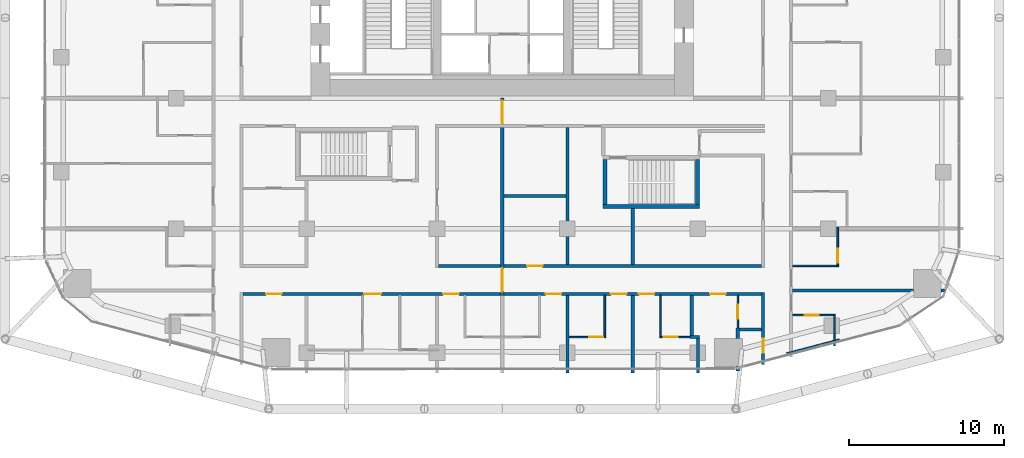
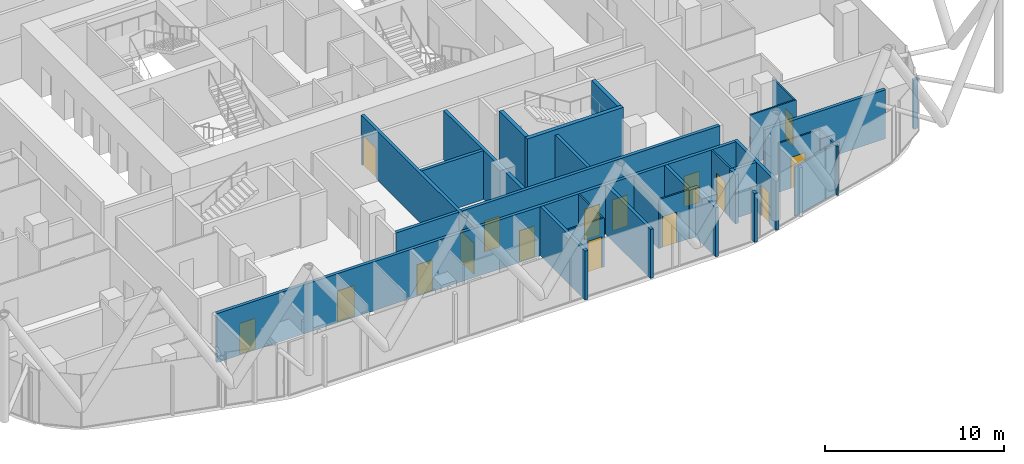
# One storey, part 30 of 38: 30 walls, 16 doors, 16 openings.
"""IFC4 building model written with IfcOpenShell, lengths in metres."""

from ifc_helpers import new_model, si_unit, direction, frame, frame_2d, origin, place, context, subcontext, project, spatial, rectangle, extrude, material, layer, layer_set, type_object, element, fill, save


model = new_model("IFC4")

# Units and contexts
model_context = context("Model", 3, precision=1e-05, world=origin(), true_north=direction((0.0, 1.0)))
body_context = subcontext(model_context, "Body", "Model", "MODEL_VIEW")
ifc_project = project(units=[si_unit("LENGTHUNIT", "METRE"), si_unit("AREAUNIT", "SQUARE_METRE"), si_unit("VOLUMEUNIT", "CUBIC_METRE"), si_unit("PLANEANGLEUNIT", "RADIAN"), si_unit("MASSUNIT", "GRAM", prefix="KILO")], contexts=[model_context])

# Site, building, storey
site_placement = place(None, origin())
site = spatial("IfcSite", under=ifc_project, at=site_placement, CompositionType="ELEMENT")
building_placement = place(site_placement, origin())
building = spatial("IfcBuilding", under=site, at=building_placement, Name="Marenta Gate Hotel Tower", CompositionType="ELEMENT")
storey_placement = place(building_placement, frame((0.0, 0.0, 68.89990234375)))
storey = spatial("IfcBuildingStorey", under=building, at=storey_placement, Name="L15", CompositionType="ELEMENT", Elevation=68.89990234375)

# Wall, openings, doors
ifc_material_1 = material(Name="Concrete blockwork", Category="masonry")
ifc_layer_1 = layer(ifc_material_1, 0.199951171875)
ifc_layer_set_1 = layer_set([ifc_layer_1], Name="Concrete blockwork")
wall_type_1 = type_object("IfcWallType", Name="Compartment wall 200 REI 180", PredefinedType="PARTITIONING", material=ifc_layer_set_1)
wall_1_placement = place(storey_placement, frame((0.0, -12.699951171875, 0.0), z_axis=(0.0, 0.0, 1.0), x_axis=(0.0, 1.0, 0.0)))
wall_1 = element("IfcWall", 1, at=wall_1_placement, inside=storey, type_object=wall_type_1, Name="L15-PTN-W072", PredefinedType="PARTITIONING", context=body_context, shape_type="SweptSolid", body=[
    extrude(rectangle(XDim=12.699951171875, YDim=0.199951171875, at=frame_2d((6.35009765625, 0.0))), origin(), (0.0, 0.0, 1.0), 3.340087890625),
])
opening_1_placement = place(wall_1_placement, frame((11.050048828125, 0.0, 0.0)))
opening_1 = element("IfcOpeningElement", 2, at=opening_1_placement, cuts=wall_1, Name="Opening G05-FD3", PredefinedType="OPENING", context=body_context, shape_type="SweptSolid", body=[
    extrude(rectangle(XDim=1.5, YDim=2.10009765625, at=frame_2d((0.75, 1.050048828125))), frame((0.0, 0.10009765625, 0.0), z_axis=(0.0, -1.0, 0.0), x_axis=(1.0, 0.0, 0.0)), (0.0, 0.0, 1.0), 0.199951171875),
])
opening_2_placement = place(wall_1_placement, frame((0.25, 0.0, 0.0)))
opening_2 = element("IfcOpeningElement", 3, at=opening_2_placement, cuts=wall_1, Name="Opening G05-FD4", PredefinedType="OPENING", context=body_context, shape_type="SweptSolid", body=[
    extrude(rectangle(XDim=1.5, YDim=2.10009765625, at=frame_2d((0.75, 1.050048828125))), frame((0.0, 0.10009765625, 0.0), z_axis=(0.0, -1.0, 0.0), x_axis=(1.0, 0.0, 0.0)), (0.0, 0.0, 1.0), 0.199951171875),
])
ifc_material_2 = material(Name="Hollow steel door set", Category="steel")
door_type_1 = type_object("IfcDoorType", Name="Compartment fire door 1500x2100 EI 60", OperationType="DOUBLE_DOOR_DOUBLE_SWING", PredefinedType="DOOR", material=ifc_material_2)
door_1_placement = place(opening_1_placement, origin())
door_1 = element("IfcDoor", 4, at=door_1_placement, inside=storey, type_object=door_type_1, Name="L15-PD-FD03", OperationType="DOUBLE_DOOR_DOUBLE_SWING", OverallHeight=2.10009765625, OverallWidth=1.5, PredefinedType="DOOR", context=body_context, shape_type="SweptSolid", body=[
    extrude(rectangle(XDim=1.5, YDim=2.10009765625, at=frame_2d((0.75, 1.050048828125))), frame((0.0, 0.02490234375, 0.0), z_axis=(0.0, -1.0, 0.0), x_axis=(1.0, 0.0, 0.0)), (0.0, 0.0, 1.0), 0.050048828125),
])
fill(opening_1, door_1)
door_2_placement = place(opening_2_placement, origin())
door_2 = element("IfcDoor", 5, at=door_2_placement, inside=storey, type_object=door_type_1, Name="L15-PD-FD04", OperationType="DOUBLE_DOOR_DOUBLE_SWING", OverallHeight=2.10009765625, OverallWidth=1.5, PredefinedType="DOOR", context=body_context, shape_type="SweptSolid", body=[
    extrude(rectangle(XDim=1.5, YDim=2.10009765625, at=frame_2d((0.75, 1.050048828125))), frame((0.0, 0.02490234375, 0.0), z_axis=(0.0, -1.0, 0.0), x_axis=(1.0, 0.0, 0.0)), (0.0, 0.0, 1.0), 0.050048828125),
])
fill(opening_2, door_2)

# Walls
ifc_material_3 = material(Name="Concrete C40", Category="concrete")
ifc_layer_2 = layer(ifc_material_3, 0.25)
ifc_layer_set_2 = layer_set([ifc_layer_2], Name="Concrete C40")
wall_type_2 = type_object("IfcWallType", Name="Remote stair enclosure wall 250 REI 180", PredefinedType="SHEAR", material=ifc_layer_set_2)
wall_2_placement = place(storey_placement, frame((6.5, -6.97509765625, 0.10009765625), z_axis=(0.0, 0.0, 1.0), x_axis=(1.0, 0.0, 0.0)))
element("IfcWall", 6, at=wall_2_placement, inside=storey, type_object=wall_type_2, Name="L15-RS-Z1-1-W1", PredefinedType="SHEAR", context=body_context, shape_type="SweptSolid", body=[
    extrude(rectangle(XDim=6.199951171875, YDim=0.25, at=frame_2d((3.10009765625, 0.0))), origin(), (0.0, 0.0, 1.0), 3.60009765625),
])
for number, where, z_axis, x_axis, name in (
    (7, (6.625, -6.85009765625, 0.10009765625), (0.0, 0.0, 1.0), (0.0, 1.0, 0.0), "L15-RS-Z1-1-W3"),
    (8, (12.574951171875, -6.85009765625, 0.10009765625), (0.0, 0.0, 1.0), (0.0, 1.0, 0.0), "L15-RS-Z1-1-W4"),
):
    element("IfcWall", number, at=place(storey_placement, frame(where, z_axis=z_axis, x_axis=x_axis)), inside=storey, type_object=wall_type_2, Name=name, PredefinedType="SHEAR", context=body_context, shape_type="SweptSolid", body=[
        extrude(rectangle(XDim=2.900146484375, YDim=0.25, at=frame_2d((1.4501953125, 0.0))), origin(), (0.0, 0.0, 1.0), 3.60009765625),
    ])

# Wall, opening, door
ifc_material_4 = material(Name="Concrete blockwork", Category="masonry")
ifc_layer_3 = layer(ifc_material_4, 0.199951171875)
ifc_layer_set_3 = layer_set([ifc_layer_3], Name="Concrete blockwork")
wall_type_3 = type_object("IfcWallType", Name="Room corridor wall 200 EI 120", PredefinedType="PARTITIONING", material=ifc_layer_set_3)
wall_3_placement = place(storey_placement, frame((16.800048828125, -17.14306640625, 0.0), z_axis=(0.0, 0.0, 1.0), x_axis=(0.0, 1.0, 0.0)))
wall_3 = element("IfcWall", 9, at=wall_3_placement, inside=storey, type_object=wall_type_3, Name="L15-PTN-W015", PredefinedType="PARTITIONING", context=body_context, shape_type="SweptSolid", body=[
    extrude(rectangle(XDim=4.64306640625, YDim=0.199951171875, at=frame_2d((2.321533203125, 0.0))), origin(), (0.0, 0.0, 1.0), 3.340087890625),
])
opening_3_placement = place(wall_3_placement, frame((0.77197265625, 0.0, 0.0)))
opening_3 = element("IfcOpeningElement", 10, at=opening_3_placement, cuts=wall_3, Name="Opening G05-85", PredefinedType="OPENING", context=body_context, shape_type="SweptSolid", body=[
    extrude(rectangle(XDim=0.89990234375, YDim=2.10009765625, at=frame_2d((0.449951171875, 1.050048828125))), frame((0.0, 0.10009765625, 0.0), z_axis=(0.0, -1.0, 0.0), x_axis=(1.0, 0.0, 0.0)), (0.0, 0.0, 1.0), 0.199951171875),
])
ifc_material_5 = material(Name="Hollow steel door set", Category="steel")
door_type_2 = type_object("IfcDoorType", Name="Room service door 900x2100 EI 60", OperationType="NOTDEFINED", PredefinedType="DOOR", material=ifc_material_5)
door_3_placement = place(opening_3_placement, origin())
door_3 = element("IfcDoor", 11, at=door_3_placement, inside=storey, type_object=door_type_2, Name="L15-PD-D085", OperationType="SINGLE_SWING_RIGHT", OverallHeight=2.10009765625, OverallWidth=0.89990234375, PredefinedType="DOOR", context=body_context, shape_type="SweptSolid", body=[
    extrude(rectangle(XDim=0.89990234375, YDim=2.10009765625, at=frame_2d((0.449951171875, 1.050048828125))), frame((0.0, 0.02490234375, 0.0), z_axis=(0.0, -1.0, 0.0), x_axis=(1.0, 0.0, 0.0)), (0.0, 0.0, 1.0), 0.050048828125),
])
fill(opening_3, door_3)

# Wall, openings, doors
ifc_material_6 = material(Name="Gypsum board on steel stud", Category="steel")
ifc_layer_4 = layer(ifc_material_6, 0.199951171875)
ifc_layer_set_4 = layer_set([ifc_layer_4], Name="Gypsum board on steel stud")
wall_type_4 = type_object("IfcWallType", Name="Room corridor wall 200 EI 60", PredefinedType="PARTITIONING", material=ifc_layer_set_4)
wall_4_placement = place(storey_placement, frame((-16.699951171875, -12.60009765625, 0.0), z_axis=(0.0, 0.0, 1.0), x_axis=(1.0, 0.0, 0.0)))
wall_4 = element("IfcWall", 12, at=wall_4_placement, inside=storey, type_object=wall_type_4, Name="L15-PTN-W034", PredefinedType="PARTITIONING", context=body_context, shape_type="SweptSolid", body=[
    extrude(rectangle(XDim=33.39990234375, YDim=0.199951171875, at=frame_2d((16.699951171875, 0.0))), origin(), (0.0, 0.0, 1.0), 3.340087890625),
])
opening_4_placement = place(wall_4_placement, frame((1.5, 0.0, 0.0)))
opening_4 = element("IfcOpeningElement", 13, at=opening_4_placement, cuts=wall_4, Name="Opening G05-35", PredefinedType="OPENING", context=body_context, shape_type="SweptSolid", body=[
    extrude(rectangle(XDim=1.0, YDim=2.10009765625, at=frame_2d((0.5, 1.050048828125))), frame((0.0, 0.10009765625, 0.0), z_axis=(0.0, -1.0, 0.0), x_axis=(1.0, 0.0, 0.0)), (0.0, 0.0, 1.0), 0.199951171875),
])
opening_5_placement = place(wall_4_placement, frame((7.800048828125, 0.0, 0.0)))
opening_5 = element("IfcOpeningElement", 14, at=opening_5_placement, cuts=wall_4, Name="Opening G05-36", PredefinedType="OPENING", context=body_context, shape_type="SweptSolid", body=[
    extrude(rectangle(XDim=1.10009765625, YDim=2.10009765625, at=frame_2d((0.550048828125, 1.050048828125))), frame((0.0, 0.10009765625, 0.0), z_axis=(0.0, -1.0, 0.0), x_axis=(1.0, 0.0, 0.0)), (0.0, 0.0, 1.0), 0.199951171875),
])
opening_6_placement = place(wall_4_placement, frame((12.89990234375, 0.0, 0.0)))
opening_6 = element("IfcOpeningElement", 15, at=opening_6_placement, cuts=wall_4, Name="Opening G05-39", PredefinedType="OPENING", context=body_context, shape_type="SweptSolid", body=[
    extrude(rectangle(XDim=1.0, YDim=2.10009765625, at=frame_2d((0.5, 1.050048828125))), frame((0.0, 0.10009765625, 0.0), z_axis=(0.0, -1.0, 0.0), x_axis=(1.0, 0.0, 0.0)), (0.0, 0.0, 1.0), 0.199951171875),
])
opening_7_placement = place(wall_4_placement, frame((19.5, 0.0, 0.0)))
opening_7 = element("IfcOpeningElement", 16, at=opening_7_placement, cuts=wall_4, Name="Opening G05-41", PredefinedType="OPENING", context=body_context, shape_type="SweptSolid", body=[
    extrude(rectangle(XDim=1.0, YDim=2.10009765625, at=frame_2d((0.5, 1.050048828125))), frame((0.0, 0.10009765625, 0.0), z_axis=(0.0, -1.0, 0.0), x_axis=(1.0, 0.0, 0.0)), (0.0, 0.0, 1.0), 0.199951171875),
])
opening_8_placement = place(wall_4_placement, frame((23.699951171875, 0.0, 0.0)))
opening_8 = element("IfcOpeningElement", 17, at=opening_8_placement, cuts=wall_4, Name="Opening G05-43", PredefinedType="OPENING", context=body_context, shape_type="SweptSolid", body=[
    extrude(rectangle(XDim=1.0, YDim=2.10009765625, at=frame_2d((0.5, 1.050048828125))), frame((0.0, 0.10009765625, 0.0), z_axis=(0.0, -1.0, 0.0), x_axis=(1.0, 0.0, 0.0)), (0.0, 0.0, 1.0), 0.199951171875),
])
opening_9_placement = place(wall_4_placement, frame((25.5, 0.0, 0.0)))
opening_9 = element("IfcOpeningElement", 18, at=opening_9_placement, cuts=wall_4, Name="Opening G05-45", PredefinedType="OPENING", context=body_context, shape_type="SweptSolid", body=[
    extrude(rectangle(XDim=1.0, YDim=2.10009765625, at=frame_2d((0.5, 1.050048828125))), frame((0.0, 0.10009765625, 0.0), z_axis=(0.0, -1.0, 0.0), x_axis=(1.0, 0.0, 0.0)), (0.0, 0.0, 1.0), 0.199951171875),
])
opening_10_placement = place(wall_4_placement, frame((30.0830078125, 0.0, 0.0)))
opening_10 = element("IfcOpeningElement", 19, at=opening_10_placement, cuts=wall_4, Name="Opening G05-83", PredefinedType="OPENING", context=body_context, shape_type="SweptSolid", body=[
    extrude(rectangle(XDim=1.0, YDim=2.10009765625, at=frame_2d((0.5, 1.050048828125))), frame((0.0, 0.10009765625, 0.0), z_axis=(0.0, -1.0, 0.0), x_axis=(1.0, 0.0, 0.0)), (0.0, 0.0, 1.0), 0.199951171875),
])
ifc_material_7 = material(Name="Timber door leaf", Category="wood")
door_type_3 = type_object("IfcDoorType", Name="Guest room door 1000x2100 EI 30", OperationType="NOTDEFINED", PredefinedType="DOOR", material=ifc_material_7)
door_4_placement = place(opening_6_placement, origin())
door_4 = element("IfcDoor", 20, at=door_4_placement, inside=storey, type_object=door_type_3, Name="L15-PD-D039", OperationType="SINGLE_SWING_LEFT", OverallHeight=2.10009765625, OverallWidth=1.0, PredefinedType="DOOR", context=body_context, shape_type="SweptSolid", body=[
    extrude(rectangle(XDim=1.0, YDim=2.10009765625, at=frame_2d((0.5, 1.050048828125))), frame((0.0, 0.02490234375, 0.0), z_axis=(0.0, -1.0, 0.0), x_axis=(1.0, 0.0, 0.0)), (0.0, 0.0, 1.0), 0.050048828125),
])
fill(opening_6, door_4)
door_5_placement = place(opening_7_placement, origin())
door_5 = element("IfcDoor", 21, at=door_5_placement, inside=storey, type_object=door_type_3, Name="L15-PD-D041", OperationType="SINGLE_SWING_LEFT", OverallHeight=2.10009765625, OverallWidth=1.0, PredefinedType="DOOR", context=body_context, shape_type="SweptSolid", body=[
    extrude(rectangle(XDim=1.0, YDim=2.10009765625, at=frame_2d((0.5, 1.050048828125))), frame((0.0, 0.02490234375, 0.0), z_axis=(0.0, -1.0, 0.0), x_axis=(1.0, 0.0, 0.0)), (0.0, 0.0, 1.0), 0.050048828125),
])
fill(opening_7, door_5)
door_6_placement = place(opening_8_placement, origin())
door_6 = element("IfcDoor", 22, at=door_6_placement, inside=storey, type_object=door_type_3, Name="L15-PD-D043", OperationType="SINGLE_SWING_LEFT", OverallHeight=2.10009765625, OverallWidth=1.0, PredefinedType="DOOR", context=body_context, shape_type="SweptSolid", body=[
    extrude(rectangle(XDim=1.0, YDim=2.10009765625, at=frame_2d((0.5, 1.050048828125))), frame((0.0, 0.02490234375, 0.0), z_axis=(0.0, -1.0, 0.0), x_axis=(1.0, 0.0, 0.0)), (0.0, 0.0, 1.0), 0.050048828125),
])
fill(opening_8, door_6)
door_7_placement = place(opening_9_placement, origin())
door_7 = element("IfcDoor", 23, at=door_7_placement, inside=storey, type_object=door_type_3, Name="L15-PD-D045", OperationType="SINGLE_SWING_LEFT", OverallHeight=2.10009765625, OverallWidth=1.0, PredefinedType="DOOR", context=body_context, shape_type="SweptSolid", body=[
    extrude(rectangle(XDim=1.0, YDim=2.10009765625, at=frame_2d((0.5, 1.050048828125))), frame((0.0, 0.02490234375, 0.0), z_axis=(0.0, -1.0, 0.0), x_axis=(1.0, 0.0, 0.0)), (0.0, 0.0, 1.0), 0.050048828125),
])
fill(opening_9, door_7)
door_8_placement = place(opening_10_placement, origin())
door_8 = element("IfcDoor", 24, at=door_8_placement, inside=storey, type_object=door_type_3, Name="L15-PD-D083", OperationType="SINGLE_SWING_LEFT", OverallHeight=2.10009765625, OverallWidth=1.0, PredefinedType="DOOR", context=body_context, shape_type="SweptSolid", body=[
    extrude(rectangle(XDim=1.0, YDim=2.10009765625, at=frame_2d((0.5, 1.050048828125))), frame((0.0, 0.02490234375, 0.0), z_axis=(0.0, -1.0, 0.0), x_axis=(1.0, 0.0, 0.0)), (0.0, 0.0, 1.0), 0.050048828125),
])
fill(opening_10, door_8)
ifc_material_8 = material(Name="Timber door leaf", Category="wood")
door_type_4 = type_object("IfcDoorType", Name="Guest room door 1100x2100 EI 30", OperationType="NOTDEFINED", PredefinedType="DOOR", material=ifc_material_8)
door_9_placement = place(opening_5_placement, origin())
door_9 = element("IfcDoor", 25, at=door_9_placement, inside=storey, type_object=door_type_4, Name="L15-PD-D036", OperationType="SINGLE_SWING_RIGHT", OverallHeight=2.10009765625, OverallWidth=1.10009765625, PredefinedType="DOOR", context=body_context, shape_type="SweptSolid", body=[
    extrude(rectangle(XDim=1.10009765625, YDim=2.10009765625, at=frame_2d((0.550048828125, 1.050048828125))), frame((0.0, 0.02490234375, 0.0), z_axis=(0.0, -1.0, 0.0), x_axis=(1.0, 0.0, 0.0)), (0.0, 0.0, 1.0), 0.050048828125),
])
fill(opening_5, door_9)
ifc_material_9 = material(Name="Timber door leaf", Category="wood")
door_type_5 = type_object("IfcDoorType", Name="Room amenity door 1000x2100 EI 30", OperationType="NOTDEFINED", PredefinedType="DOOR", material=ifc_material_9)
door_10_placement = place(opening_4_placement, origin())
door_10 = element("IfcDoor", 26, at=door_10_placement, inside=storey, type_object=door_type_5, Name="L15-PD-D035", OperationType="SINGLE_SWING_RIGHT", OverallHeight=2.10009765625, OverallWidth=1.0, PredefinedType="DOOR", context=body_context, shape_type="SweptSolid", body=[
    extrude(rectangle(XDim=1.0, YDim=2.10009765625, at=frame_2d((0.5, 1.050048828125))), frame((0.0, 0.02490234375, 0.0), z_axis=(0.0, -1.0, 0.0), x_axis=(1.0, 0.0, 0.0)), (0.0, 0.0, 1.0), 0.050048828125),
])
fill(opening_4, door_10)

# Wall, opening, door
wall_5_placement = place(storey_placement, frame((-4.10009765625, -10.800048828125, 0.0), z_axis=(0.0, 0.0, 1.0), x_axis=(1.0, 0.0, 0.0)))
wall_5 = element("IfcWall", 27, at=wall_5_placement, inside=storey, type_object=wall_type_4, Name="L15-PTN-W041", PredefinedType="PARTITIONING", context=body_context, shape_type="SweptSolid", body=[
    extrude(rectangle(XDim=20.800048828125, YDim=0.199951171875, at=frame_2d((10.39990234375, 0.0))), origin(), (0.0, 0.0, 1.0), 3.340087890625),
])
opening_11_placement = place(wall_5_placement, frame((5.699951171875, 0.0, 0.0)))
opening_11 = element("IfcOpeningElement", 28, at=opening_11_placement, cuts=wall_5, Name="Opening G05-79", PredefinedType="OPENING", context=body_context, shape_type="SweptSolid", body=[
    extrude(rectangle(XDim=1.0, YDim=2.10009765625, at=frame_2d((0.5, 1.050048828125))), frame((0.0, 0.10009765625, 0.0), z_axis=(0.0, -1.0, 0.0), x_axis=(1.0, 0.0, 0.0)), (0.0, 0.0, 1.0), 0.199951171875),
])
door_11_placement = place(opening_11_placement, origin())
door_11 = element("IfcDoor", 29, at=door_11_placement, inside=storey, type_object=door_type_5, Name="L15-PD-D079", OperationType="SINGLE_SWING_LEFT", OverallHeight=2.10009765625, OverallWidth=1.0, PredefinedType="DOOR", context=body_context, shape_type="SweptSolid", body=[
    extrude(rectangle(XDim=1.0, YDim=2.10009765625, at=frame_2d((0.5, 1.050048828125))), frame((0.0, 0.02490234375, 0.0), z_axis=(0.0, -1.0, 0.0), x_axis=(1.0, 0.0, 0.0)), (0.0, 0.0, 1.0), 0.050048828125),
])
fill(opening_11, door_11)

ifc_material_10 = material(Name="Gypsum board on steel stud", Category="steel")
ifc_layer_5 = layer(ifc_material_10, 0.10009765625)
ifc_layer_set_5 = layer_set([ifc_layer_5], Name="Gypsum board on steel stud")
wall_type_5 = type_object("IfcWallType", Name="Room partition 100", PredefinedType="PARTITIONING", material=ifc_layer_set_5)
wall_6_placement = place(storey_placement, frame((21.60009765625, -10.75, 0.0), z_axis=(0.0, 0.0, 1.0), x_axis=(0.0, 1.0, 0.0)))
wall_6 = element("IfcWall", 30, at=wall_6_placement, inside=storey, type_object=wall_type_5, Name="L15-PTN-W008", PredefinedType="PARTITIONING", context=body_context, shape_type="SweptSolid", body=[
    extrude(rectangle(XDim=2.449951171875, YDim=0.10009765625, at=frame_2d((1.22509765625, 0.0))), origin(), (0.0, 0.0, 1.0), 3.340087890625),
])
opening_12_placement = place(wall_6_placement, frame((0.14990234375, 0.0, 0.0)))
opening_12 = element("IfcOpeningElement", 31, at=opening_12_placement, cuts=wall_6, Name="Opening G05-08", PredefinedType="OPENING", context=body_context, shape_type="SweptSolid", body=[
    extrude(rectangle(XDim=0.89990234375, YDim=2.10009765625, at=frame_2d((0.449951171875, 1.050048828125))), frame((0.0, 0.050048828125, 0.0), z_axis=(0.0, -1.0, 0.0), x_axis=(1.0, 0.0, 0.0)), (0.0, 0.0, 1.0), 0.10009765625),
])
ifc_material_11 = material(Name="Timber door leaf", Category="wood")
door_type_6 = type_object("IfcDoorType", Name="Guest bathroom door 900x2100", OperationType="NOTDEFINED", PredefinedType="DOOR", material=ifc_material_11)
door_12_placement = place(opening_12_placement, origin())
door_12 = element("IfcDoor", 32, at=door_12_placement, inside=storey, type_object=door_type_6, Name="L15-PD-D008", OperationType="SINGLE_SWING_LEFT", OverallHeight=2.10009765625, OverallWidth=0.89990234375, PredefinedType="DOOR", context=body_context, shape_type="SweptSolid", body=[
    extrude(rectangle(XDim=0.89990234375, YDim=2.10009765625, at=frame_2d((0.449951171875, 1.050048828125))), frame((0.0, 0.02490234375, 0.0), z_axis=(0.0, -1.0, 0.0), x_axis=(1.0, 0.0, 0.0)), (0.0, 0.0, 1.0), 0.050048828125),
])
fill(opening_12, door_12)

# Walls
wall_7_placement = place(storey_placement, frame((21.39990234375, -15.922119140625, 0.0), z_axis=(0.0, 0.0, 1.0), x_axis=(0.0, 1.0, 0.0)))
element("IfcWall", 33, at=wall_7_placement, inside=storey, type_object=wall_type_5, Name="L15-PTN-W009", PredefinedType="PARTITIONING", context=body_context, shape_type="SweptSolid", body=[
    extrude(rectangle(XDim=2.007080078125, YDim=0.10009765625, at=frame_2d((1.00341796875, 0.0))), origin(), (0.0, 0.0, 1.0), 3.340087890625),
])
wall_8_placement = place(storey_placement, frame((18.31005859375, -16.44189453125, 0.0), z_axis=(0.0, 0.0, 1.0), x_axis=(0.966542484633, 0.25650657964, 0.0)))
element("IfcWall", 34, at=wall_8_placement, inside=storey, type_object=wall_type_5, Name="L15-PTN-W013", PredefinedType="PARTITIONING", context=body_context, shape_type="SweptSolid", body=[
    extrude(rectangle(XDim=3.496826171875, YDim=0.10009765625, at=frame_2d((1.74853515625, 0.0))), origin(), (0.0, 0.0, 1.0), 3.340087890625),
])

# Wall, opening, door
wall_9_placement = place(storey_placement, frame((4.300048828125, -15.375, 0.0), z_axis=(0.0, 0.0, 1.0), x_axis=(1.0, 0.0, 0.0)))
wall_9 = element("IfcWall", 35, at=wall_9_placement, inside=storey, type_object=wall_type_5, Name="L15-PTN-W022", PredefinedType="PARTITIONING", context=body_context, shape_type="SweptSolid", body=[
    extrude(rectangle(XDim=2.349853515625, YDim=0.10009765625, at=frame_2d((1.1748046875, 0.0))), origin(), (0.0, 0.0, 1.0), 3.340087890625),
])
opening_13_placement = place(wall_9_placement, frame((1.300048828125, 0.0, 0.0)))
opening_13 = element("IfcOpeningElement", 36, at=opening_13_placement, cuts=wall_9, Name="Opening G05-44", PredefinedType="OPENING", context=body_context, shape_type="SweptSolid", body=[
    extrude(rectangle(XDim=0.89990234375, YDim=2.10009765625, at=frame_2d((0.449951171875, 1.050048828125))), frame((0.0, 0.050048828125, 0.0), z_axis=(0.0, -1.0, 0.0), x_axis=(1.0, 0.0, 0.0)), (0.0, 0.0, 1.0), 0.10009765625),
])
door_13_placement = place(opening_13_placement, origin())
door_13 = element("IfcDoor", 37, at=door_13_placement, inside=storey, type_object=door_type_6, Name="L15-PD-D044", OperationType="SINGLE_SWING_RIGHT", OverallHeight=2.10009765625, OverallWidth=0.89990234375, PredefinedType="DOOR", context=body_context, shape_type="SweptSolid", body=[
    extrude(rectangle(XDim=0.89990234375, YDim=2.10009765625, at=frame_2d((0.449951171875, 1.050048828125))), frame((0.0, 0.02490234375, 0.0), z_axis=(0.0, -1.0, 0.0), x_axis=(1.0, 0.0, 0.0)), (0.0, 0.0, 1.0), 0.050048828125),
])
fill(opening_13, door_13)

wall_10_placement = place(storey_placement, frame((10.25, -15.375, 0.0), z_axis=(0.0, 0.0, 1.0), x_axis=(1.0, 0.0, 0.0)))
wall_10 = element("IfcWall", 38, at=wall_10_placement, inside=storey, type_object=wall_type_5, Name="L15-PTN-W023", PredefinedType="PARTITIONING", context=body_context, shape_type="SweptSolid", body=[
    extrude(rectangle(XDim=2.050048828125, YDim=0.10009765625, at=frame_2d((1.02490234375, 0.0))), origin(), (0.0, 0.0, 1.0), 3.340087890625),
])
opening_14_placement = place(wall_10_placement, frame((0.14990234375, 0.0, 0.0)))
opening_14 = element("IfcOpeningElement", 39, at=opening_14_placement, cuts=wall_10, Name="Opening G05-46", PredefinedType="OPENING", context=body_context, shape_type="SweptSolid", body=[
    extrude(rectangle(XDim=0.89990234375, YDim=2.10009765625, at=frame_2d((0.449951171875, 1.050048828125))), frame((0.0, 0.050048828125, 0.0), z_axis=(0.0, -1.0, 0.0), x_axis=(1.0, 0.0, 0.0)), (0.0, 0.0, 1.0), 0.10009765625),
])
door_14_placement = place(opening_14_placement, origin())
door_14 = element("IfcDoor", 40, at=door_14_placement, inside=storey, type_object=door_type_6, Name="L15-PD-D046", OperationType="SINGLE_SWING_LEFT", OverallHeight=2.10009765625, OverallWidth=0.89990234375, PredefinedType="DOOR", context=body_context, shape_type="SweptSolid", body=[
    extrude(rectangle(XDim=0.89990234375, YDim=2.10009765625, at=frame_2d((0.449951171875, 1.050048828125))), frame((0.0, 0.02490234375, 0.0), z_axis=(0.0, -1.0, 0.0), x_axis=(1.0, 0.0, 0.0)), (0.0, 0.0, 1.0), 0.050048828125),
])
fill(opening_14, door_14)

wall_11_placement = place(storey_placement, frame((15.166015625, -15.0, 0.0), z_axis=(0.0, 0.0, 1.0), x_axis=(0.0, 1.0, 0.0)))
wall_11 = element("IfcWall", 41, at=wall_11_placement, inside=storey, type_object=wall_type_5, Name="L15-PTN-W026", PredefinedType="PARTITIONING", context=body_context, shape_type="SweptSolid", body=[
    extrude(rectangle(XDim=2.300048828125, YDim=0.10009765625, at=frame_2d((1.14990234375, 0.0))), origin(), (0.0, 0.0, 1.0), 3.340087890625),
])
opening_15_placement = place(wall_11_placement, frame((0.800048828125, 0.0, 0.0)))
opening_15 = element("IfcOpeningElement", 42, at=opening_15_placement, cuts=wall_11, Name="Opening G05-84", PredefinedType="OPENING", context=body_context, shape_type="SweptSolid", body=[
    extrude(rectangle(XDim=0.89990234375, YDim=2.10009765625, at=frame_2d((0.449951171875, 1.050048828125))), frame((0.0, 0.050048828125, 0.0), z_axis=(0.0, -1.0, 0.0), x_axis=(1.0, 0.0, 0.0)), (0.0, 0.0, 1.0), 0.10009765625),
])
door_15_placement = place(opening_15_placement, origin())
door_15 = element("IfcDoor", 43, at=door_15_placement, inside=storey, type_object=door_type_6, Name="L15-PD-D084", OperationType="SINGLE_SWING_RIGHT", OverallHeight=2.10009765625, OverallWidth=0.89990234375, PredefinedType="DOOR", context=body_context, shape_type="SweptSolid", body=[
    extrude(rectangle(XDim=0.89990234375, YDim=2.10009765625, at=frame_2d((0.449951171875, 1.050048828125))), frame((0.0, 0.02490234375, 0.0), z_axis=(0.0, -1.0, 0.0), x_axis=(1.0, 0.0, 0.0)), (0.0, 0.0, 1.0), 0.050048828125),
])
fill(opening_15, door_15)

wall_12_placement = place(storey_placement, frame((18.699951171875, -13.965087890625, 0.0), z_axis=(0.0, 0.0, 1.0), x_axis=(1.0, 0.0, 0.0)))
wall_12 = element("IfcWall", 44, at=wall_12_placement, inside=storey, type_object=wall_type_5, Name="L15-PTN-W030", PredefinedType="PARTITIONING", context=body_context, shape_type="SweptSolid", body=[
    extrude(rectangle(XDim=2.650146484375, YDim=0.10009765625, at=frame_2d((1.3251953125, 0.0))), origin(), (0.0, 0.0, 1.0), 3.340087890625),
])
opening_16_placement = place(wall_12_placement, frame((0.7900390625, 0.0, 0.0)))
opening_16 = element("IfcOpeningElement", 45, at=opening_16_placement, cuts=wall_12, Name="Opening G05-06", PredefinedType="OPENING", context=body_context, shape_type="SweptSolid", body=[
    extrude(rectangle(XDim=0.89990234375, YDim=2.10009765625, at=frame_2d((0.449951171875, 1.050048828125))), frame((0.0, 0.050048828125, 0.0), z_axis=(0.0, -1.0, 0.0), x_axis=(1.0, 0.0, 0.0)), (0.0, 0.0, 1.0), 0.10009765625),
])
door_16_placement = place(opening_16_placement, origin())
door_16 = element("IfcDoor", 46, at=door_16_placement, inside=storey, type_object=door_type_6, Name="L15-PD-D006", OperationType="SINGLE_SWING_LEFT", OverallHeight=2.10009765625, OverallWidth=0.89990234375, PredefinedType="DOOR", context=body_context, shape_type="SweptSolid", body=[
    extrude(rectangle(XDim=0.89990234375, YDim=2.10009765625, at=frame_2d((0.449951171875, 1.050048828125))), frame((0.0, 0.02490234375, 0.0), z_axis=(0.0, -1.0, 0.0), x_axis=(1.0, 0.0, 0.0)), (0.0, 0.0, 1.0), 0.050048828125),
])
fill(opening_16, door_16)

# Walls
wall_13_placement = place(storey_placement, frame((18.699951171875, -10.800048828125, 0.0), z_axis=(0.0, 0.0, 1.0), x_axis=(1.0, 0.0, 0.0)))
element("IfcWall", 47, at=wall_13_placement, inside=storey, type_object=wall_type_5, Name="L15-PTN-W039", PredefinedType="PARTITIONING", context=body_context, shape_type="SweptSolid", body=[
    extrude(rectangle(XDim=2.949951171875, YDim=0.10009765625, at=frame_2d((1.47509765625, 0.0))), origin(), (0.0, 0.0, 1.0), 3.340087890625),
])
wall_14_placement = place(storey_placement, frame((10.199951171875, -15.425048828125, 0.0), z_axis=(0.0, 0.0, 1.0), x_axis=(0.0, 1.0, 0.0)))
element("IfcWall", 48, at=wall_14_placement, inside=storey, type_object=wall_type_5, Name="L15-PTN-W042", PredefinedType="PARTITIONING", context=body_context, shape_type="SweptSolid", body=[
    extrude(rectangle(XDim=2.72509765625, YDim=0.10009765625, at=frame_2d((1.362548828125, 0.0))), origin(), (0.0, 0.0, 1.0), 3.340087890625),
])
wall_15_placement = place(storey_placement, frame((6.60009765625, -15.324951171875, 0.0), z_axis=(0.0, 0.0, 1.0), x_axis=(0.0, 1.0, 0.0)))
element("IfcWall", 49, at=wall_15_placement, inside=storey, type_object=wall_type_5, Name="L15-PTN-W049", PredefinedType="PARTITIONING", context=body_context, shape_type="SweptSolid", body=[
    extrude(rectangle(XDim=2.625, YDim=0.10009765625, at=frame_2d((1.3125, 0.0))), origin(), (0.0, 0.0, 1.0), 3.340087890625),
])
ifc_material_12 = material(Name="Concrete blockwork", Category="masonry")
ifc_layer_6 = layer(ifc_material_12, 0.199951171875)
ifc_layer_set_6 = layer_set([ifc_layer_6], Name="Concrete blockwork")
wall_type_6 = type_object("IfcWallType", Name="Room party wall 200 EI 120", PredefinedType="PARTITIONING", material=ifc_layer_set_6)
wall_16_placement = place(storey_placement, frame((15.166015625, -17.572998046875, 0.0), z_axis=(0.0, 0.0, 1.0), x_axis=(0.0, 1.0, 0.0)))
element("IfcWall", 50, at=wall_16_placement, inside=storey, type_object=wall_type_6, Name="L15-PTN-W025", PredefinedType="PARTITIONING", context=body_context, shape_type="SweptSolid", body=[
    extrude(rectangle(XDim=0.298095703125, YDim=0.199951171875, at=frame_2d((0.14892578125, 0.0))), origin(), (0.0, 0.0, 1.0), 3.340087890625),
])
wall_17_placement = place(storey_placement, frame((15.166015625, -15.47509765625, 0.0), z_axis=(0.0, 0.0, 1.0), x_axis=(0.0, 1.0, 0.0)))
element("IfcWall", 51, at=wall_17_placement, inside=storey, type_object=wall_type_6, Name="L15-PTN-W154", PredefinedType="PARTITIONING", context=body_context, shape_type="SweptSolid", body=[
    extrude(rectangle(XDim=0.675048828125, YDim=0.199951171875, at=frame_2d((0.33740234375, 0.0))), origin(), (0.0, 0.0, 1.0), 3.340087890625),
])
wall_18_placement = place(storey_placement, frame((15.216064453125, -14.89990234375, 0.0), z_axis=(0.0, 0.0, 1.0), x_axis=(1.0, 0.0, 0.0)))
element("IfcWall", 52, at=wall_18_placement, inside=storey, type_object=wall_type_6, Name="L15-PTN-W027", PredefinedType="PARTITIONING", context=body_context, shape_type="SweptSolid", body=[
    extrude(rectangle(XDim=1.48388671875, YDim=0.199951171875, at=frame_2d((0.741943359375, 0.0))), origin(), (0.0, 0.0, 1.0), 3.340087890625),
])
ifc_material_13 = material(Name="Gypsum board on steel stud", Category="steel")
ifc_layer_7 = layer(ifc_material_13, 0.199951171875)
ifc_layer_set_7 = layer_set([ifc_layer_7], Name="Gypsum board on steel stud")
wall_type_7 = type_object("IfcWallType", Name="Room party wall 200 EI 60", PredefinedType="PARTITIONING", material=ifc_layer_set_7)
wall_19_placement = place(storey_placement, frame((12.10009765625, -15.375, 0.0), z_axis=(0.0, 0.0, 1.0), x_axis=(1.0, 0.0, 0.0)))
element("IfcWall", 53, at=wall_19_placement, inside=storey, type_object=wall_type_7, Name="L15-PTN-W024", PredefinedType="PARTITIONING", context=body_context, shape_type="SweptSolid", body=[
    extrude(rectangle(XDim=0.599853515625, YDim=0.199951171875, at=frame_2d((0.2998046875, 0.0))), origin(), (0.0, 0.0, 1.0), 3.340087890625),
])
wall_20_placement = place(storey_placement, frame((12.60009765625, -17.699951171875, 0.0), z_axis=(0.0, 0.0, 1.0), x_axis=(0.0, 1.0, 0.0)))
element("IfcWall", 54, at=wall_20_placement, inside=storey, type_object=wall_type_7, Name="L15-PTN-W032", PredefinedType="PARTITIONING", context=body_context, shape_type="SweptSolid", body=[
    extrude(rectangle(XDim=2.224853515625, YDim=0.199951171875, at=frame_2d((1.1123046875, 0.0))), origin(), (0.0, 0.0, 1.0), 3.340087890625),
])
wall_21_placement = place(storey_placement, frame((18.699951171875, -12.383056640625, 0.0), z_axis=(0.0, 0.0, 1.0), x_axis=(1.0, 0.0, 0.0)))
element("IfcWall", 55, at=wall_21_placement, inside=storey, type_object=wall_type_7, Name="L15-PTN-W036", PredefinedType="PARTITIONING", context=body_context, shape_type="SweptSolid", body=[
    extrude(rectangle(XDim=7.762939453125, YDim=0.199951171875, at=frame_2d((3.88134765625, 0.0))), origin(), (0.0, 0.0, 1.0), 3.340087890625),
])
wall_22_placement = place(storey_placement, frame((28.262939453125, -12.383056640625, 0.0), z_axis=(0.0, 0.0, 1.0), x_axis=(1.0, 0.0, 0.0)))
element("IfcWall", 56, at=wall_22_placement, inside=storey, type_object=wall_type_7, Name="L15-PTN-W156", PredefinedType="PARTITIONING", context=body_context, shape_type="SweptSolid", body=[
    extrude(rectangle(XDim=0.2900390625, YDim=0.199951171875, at=frame_2d((0.14501953125, 0.0))), origin(), (0.0, 0.0, 1.0), 3.340087890625),
])
wall_23_placement = place(storey_placement, frame((12.199951171875, -15.324951171875, 0.0), z_axis=(0.0, 0.0, 1.0), x_axis=(0.0, 1.0, 0.0)))
element("IfcWall", 57, at=wall_23_placement, inside=storey, type_object=wall_type_7, Name="L15-PTN-W037", PredefinedType="PARTITIONING", context=body_context, shape_type="SweptSolid", body=[
    extrude(rectangle(XDim=2.625, YDim=0.199951171875, at=frame_2d((1.3125, 0.0))), origin(), (0.0, 0.0, 1.0), 3.340087890625),
])
wall_24_placement = place(storey_placement, frame((8.39990234375, -17.699951171875, 0.0), z_axis=(0.0, 0.0, 1.0), x_axis=(0.0, 1.0, 0.0)))
element("IfcWall", 58, at=wall_24_placement, inside=storey, type_object=wall_type_7, Name="L15-PTN-W043", PredefinedType="PARTITIONING", context=body_context, shape_type="SweptSolid", body=[
    extrude(rectangle(XDim=5.0, YDim=0.199951171875, at=frame_2d((2.5, 0.0))), origin(), (0.0, 0.0, 1.0), 3.340087890625),
])
wall_25_placement = place(storey_placement, frame((8.39990234375, -10.699951171875, 0.0), z_axis=(0.0, 0.0, 1.0), x_axis=(0.0, 1.0, 0.0)))
element("IfcWall", 59, at=wall_25_placement, inside=storey, type_object=wall_type_7, Name="L15-PTN-W044", PredefinedType="PARTITIONING", context=body_context, shape_type="SweptSolid", body=[
    extrude(rectangle(XDim=3.599853515625, YDim=0.199951171875, at=frame_2d((1.7998046875, 0.0))), origin(), (0.0, 0.0, 1.0), 3.340087890625),
])
wall_26_placement = place(storey_placement, frame((0.10009765625, -6.300048828125, 0.0), z_axis=(0.0, 0.0, 1.0), x_axis=(1.0, 0.0, 0.0)))
element("IfcWall", 60, at=wall_26_placement, inside=storey, type_object=wall_type_7, Name="L15-PTN-W052", PredefinedType="PARTITIONING", context=body_context, shape_type="SweptSolid", body=[
    extrude(rectangle(XDim=4.0, YDim=0.199951171875, at=frame_2d((2.0, 0.0))), origin(), (0.0, 0.0, 1.0), 3.340087890625),
])
wall_27_placement = place(storey_placement, frame((4.199951171875, -17.699951171875, 0.0), z_axis=(0.0, 0.0, 1.0), x_axis=(0.0, 1.0, 0.0)))
element("IfcWall", 61, at=wall_27_placement, inside=storey, type_object=wall_type_7, Name="L15-PTN-W056", PredefinedType="PARTITIONING", context=body_context, shape_type="SweptSolid", body=[
    extrude(rectangle(XDim=5.0, YDim=0.199951171875, at=frame_2d((2.5, 0.0))), origin(), (0.0, 0.0, 1.0), 3.340087890625),
])
wall_28_placement = place(storey_placement, frame((4.199951171875, -10.699951171875, 0.0), z_axis=(0.0, 0.0, 1.0), x_axis=(0.0, 1.0, 0.0)))
element("IfcWall", 62, at=wall_28_placement, inside=storey, type_object=wall_type_7, Name="L15-PTN-W057", PredefinedType="PARTITIONING", context=body_context, shape_type="SweptSolid", body=[
    extrude(rectangle(XDim=8.800048828125, YDim=0.199951171875, at=frame_2d((4.39990234375, 0.0))), origin(), (0.0, 0.0, 1.0), 3.340087890625),
])

save(model, "model.ifc")
